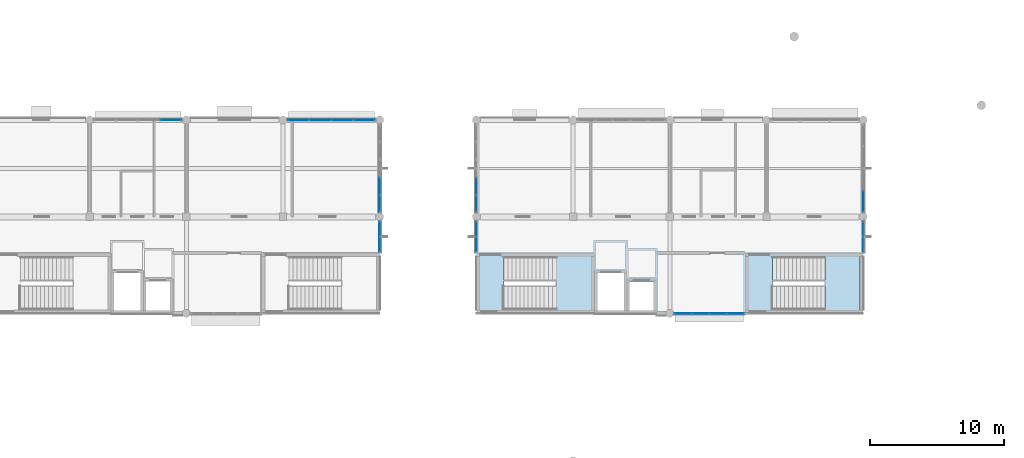
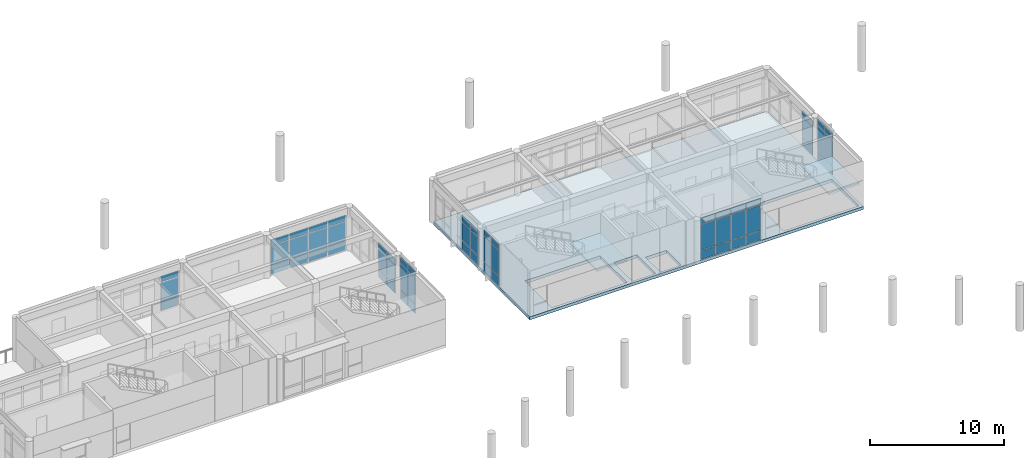
# One storey, part 10 of 29: 57 plates, 3 slabs, 11 elements without a shape of their own.
"""IFC4 building model written with IfcOpenShell, lengths in metres."""

import ifcopenshell
import ifcopenshell.guid

model = None  # the IFC model being written
_history = None  # IfcOwnerHistory: only IFC2X3 demands one
_inside = {}  # id of a spatial element -> (the spatial element, [elements in it])
_under = {}  # id of a project, library or spatial element -> (it, [spatial elements below it])
_declared = {}  # id of a project -> (the project, [libraries it declares])
_typed = {}  # id of a type object -> (the type object, [elements of that type])
_made_of = {}  # id of a material, layer set ... -> (it, [elements and type objects made of it])


def new_model(schema):
    """Start an empty IFC model of exactly this schema.

    Asked for "IFC4X3", IfcOpenShell would pick the latest addendum, in which some entities
    have other attributes; the version numbers below select the first issue.
    IFC2X3 requires an IfcOwnerHistory on every rooted entity: one is made here for all.
    """
    global model, _history
    if schema == "IFC4X3":
        model = ifcopenshell.file(schema_version=(4, 3, 0, 0))
    else:
        model = ifcopenshell.file(schema=schema)
    _inside.clear()
    _under.clear()
    _declared.clear()
    _typed.clear()
    _made_of.clear()
    _history = None
    if model.schema == "IFC2X3":
        org = make("IfcOrganization", Name="unknown")
        user = make(
            "IfcPersonAndOrganization",
            ThePerson=make("IfcPerson", FamilyName="unknown"),
            TheOrganization=org,
        )
        app = make(
            "IfcApplication",
            ApplicationDeveloper=org,
            Version="unknown",
            ApplicationFullName="unknown",
            ApplicationIdentifier="unknown",
        )
        _history = make(
            "IfcOwnerHistory",
            OwningUser=user,
            OwningApplication=app,
            ChangeAction="ADDED",
            CreationDate=0,
        )
    return model


def make(cls, **values):
    """One entity of the class cls with the attributes given. An attribute that is None is left unset."""
    return model.create_entity(
        cls, **{name: value for name, value in values.items() if value is not None}
    )


def rooted(cls, **values):
    """An entity with a GlobalId (a new one), such as an element, a storey or a relation."""
    return make(cls, GlobalId=ifcopenshell.guid.new(), OwnerHistory=_history, **values)


def si_unit(unit_type, name, prefix=None):
    """IfcSIUnit, for example si_unit("LENGTHUNIT", "METRE", prefix="MILLI")."""
    return make("IfcSIUnit", UnitType=unit_type, Prefix=prefix, Name=name)


def assignment(units):
    """IfcUnitAssignment: the units of a project."""
    return None if units is None else make("IfcUnitAssignment", Units=units)


def point(xyz):
    """IfcCartesianPoint."""
    return None if xyz is None else make("IfcCartesianPoint", Coordinates=xyz)


def direction(xyz):
    """IfcDirection."""
    return None if xyz is None else make("IfcDirection", DirectionRatios=xyz)


def frame(location, z_axis=None, x_axis=None):
    """IfcAxis2Placement3D, a coordinate frame: its origin and axes. An axis left out is left unset."""
    return make(
        "IfcAxis2Placement3D",
        Location=point(location),
        Axis=direction(z_axis),
        RefDirection=direction(x_axis),
    )


def frame_2d(location, x_axis=None):
    """IfcAxis2Placement2D, a coordinate frame in the plane: its origin and x axis."""
    return make(
        "IfcAxis2Placement2D", Location=point(location), RefDirection=direction(x_axis)
    )


def origin():
    """The frame at (0, 0, 0) with its axes left unset."""
    return frame((0.0, 0.0, 0.0))


def origin_2d():
    """The frame at (0, 0) in the plane with its x axis left unset."""
    return frame_2d((0.0, 0.0))


def place(relative_to, where):
    """IfcLocalPlacement: puts the frame where relative to a parent placement (None: the world)."""
    return make(
        "IfcLocalPlacement", PlacementRelTo=relative_to, RelativePlacement=where
    )


def context(
    kind, dimensions, precision=None, world=None, true_north=None, identifier=None
):
    """IfcGeometricRepresentationContext, for example the 3D "Model" context."""
    return make(
        "IfcGeometricRepresentationContext",
        ContextIdentifier=identifier,
        ContextType=kind,
        CoordinateSpaceDimension=dimensions,
        Precision=precision,
        WorldCoordinateSystem=world,
        TrueNorth=true_north,
    )


def subcontext(parent, identifier, kind, view, scale=None):
    """IfcGeometricRepresentationSubContext, for example "Body" below "Model"."""
    return make(
        "IfcGeometricRepresentationSubContext",
        ContextIdentifier=identifier,
        ContextType=kind,
        ParentContext=parent,
        TargetScale=scale,
        TargetView=view,
    )


def project(units=None, contexts=None):
    """IfcProject with its units and contexts."""
    return rooted(
        "IfcProject",
        Name="project",
        RepresentationContexts=contexts,
        UnitsInContext=assignment(units),
    )


def spatial(cls, under=None, at=None, **own):
    """A site, building, storey or space (cls), placed at a placement, below another one or the project."""
    s = rooted(cls, ObjectPlacement=at, **own)
    if under is not None:
        _under.setdefault(under.id(), (under, []))[1].append(s)
    return s


def polyline(points):
    """IfcPolyline through the points."""
    return make("IfcPolyline", Points=[point(p) for p in points])


def profile(cls, at=None, kind="AREA", **sizes):
    """A parametric profile (cls). Its sizes go by their IFC names, for example OverallWidth=200.0."""
    return make(cls, ProfileType=kind, Position=at, **sizes)


def rectangle(**sizes):
    """IfcRectangleProfileDef."""
    return profile("IfcRectangleProfileDef", **sizes)


def outline(outer, holes=None, kind="AREA"):
    """IfcArbitraryClosedProfileDef: a profile drawn as a closed curve; with holes, ...WithVoids."""
    if holes is None:
        return make("IfcArbitraryClosedProfileDef", ProfileType=kind, OuterCurve=outer)
    return make(
        "IfcArbitraryProfileDefWithVoids",
        ProfileType=kind,
        OuterCurve=outer,
        InnerCurves=holes,
    )


def extrude(swept, where, along, depth):
    """IfcExtrudedAreaSolid: the profile swept, set in the frame where, extruded along a direction by depth."""
    return make(
        "IfcExtrudedAreaSolid",
        SweptArea=swept,
        Position=where,
        ExtrudedDirection=direction(along),
        Depth=depth,
    )


def shape(context_of_items, identifier, shape_type, items):
    """IfcShapeRepresentation: the items that make up one representation, for example the "Body"."""
    return make(
        "IfcShapeRepresentation",
        ContextOfItems=context_of_items,
        RepresentationIdentifier=identifier,
        RepresentationType=shape_type,
        Items=items,
    )


def material(Name=None, Category=None):
    """IfcMaterial."""
    return make("IfcMaterial", Name=Name, Category=Category)


def layer(
    of_material, thickness, ventilated=None, Name=None, Category=None, Priority=None
):
    """IfcMaterialLayer: one layer of a wall or slab, of a material (None: an air gap)."""
    return make(
        "IfcMaterialLayer",
        Material=of_material,
        LayerThickness=thickness,
        IsVentilated=ventilated,
        Name=Name,
        Category=Category,
        Priority=Priority,
    )


def layer_set(layers, Name=None):
    """IfcMaterialLayerSet."""
    return make("IfcMaterialLayerSet", MaterialLayers=layers, LayerSetName=Name)


def made_of(thing, what):
    """Note that an element or type object is made of a material, layer set ...; save() writes the relation."""
    if what is not None:
        _made_of.setdefault(what.id(), (what, []))[1].append(thing)
    return thing


def type_object(cls, material=None, **own):
    """A type object (cls), such as IfcWallType, which elements share."""
    return made_of(rooted(cls, **own), material)


def element(
    cls,
    number,
    at=None,
    inside=None,
    cuts=None,
    type_object=None,
    material=None,
    context=None,
    identifier="Body",
    shape_type=None,
    held_by="IfcProductDefinitionShape",
    body=None,
    shapes=None,
    **own,
):
    """One element of the class cls, such as IfcWall. Its Tag is "e" and its number.

    at: its placement. inside: the storey or other place that contains it. cuts: it is an
    opening in that element (IfcRelVoidsElement). A single representation is given by context,
    identifier, shape_type and body (its items); several are given by shapes. held_by: the class
    of the entity that holds the representations. save() writes the other relations.
    """
    e = rooted(cls, Tag="e%d" % number, ObjectPlacement=at, **own)
    if body is not None:
        shapes = [shape(context, identifier, shape_type, body)]
    if shapes is not None:
        e.Representation = make(held_by, Representations=shapes)
    if inside is not None:
        _inside.setdefault(inside.id(), (inside, []))[1].append(e)
    if cuts is not None:
        rooted(
            "IfcRelVoidsElement", RelatingBuildingElement=cuts, RelatedOpeningElement=e
        )
    if type_object is not None:
        _typed.setdefault(type_object.id(), (type_object, []))[1].append(e)
    return made_of(e, material)


def aggregate(whole, parts):
    """IfcRelAggregates: a whole, such as a stair, and the parts it consists of."""
    return rooted("IfcRelAggregates", RelatingObject=whole, RelatedObjects=parts)


def save(model, path):
    """Write the relations noted so far, then the file.

    IfcRelAggregates (storeys below a building ...), IfcRelContainedInSpatialStructure (elements
    in a storey), IfcRelDefinesByType, IfcRelAssociatesMaterial and IfcRelDeclares: one each for
    every whole, place, type object, material and project.
    """
    for whole, parts in _under.values():
        aggregate(whole, parts)
    for where, things in _inside.values():
        rooted(
            "IfcRelContainedInSpatialStructure",
            RelatedElements=things,
            RelatingStructure=where,
        )
    for kind, things in _typed.values():
        rooted("IfcRelDefinesByType", RelatedObjects=things, RelatingType=kind)
    for what, things in _made_of.values():
        rooted("IfcRelAssociatesMaterial", RelatedObjects=things, RelatingMaterial=what)
    for by, libraries in _declared.values():
        rooted("IfcRelDeclares", RelatingContext=by, RelatedDefinitions=libraries)
    model.write(path)


model = new_model("IFC4")

# Units and contexts
model_context = context("Model", 3, precision=1e-05, world=origin(), true_north=direction((0.0, 1.0)))
body_context = subcontext(model_context, "Body", "Model", "MODEL_VIEW")
ifc_project = project(units=[si_unit("LENGTHUNIT", "METRE"), si_unit("AREAUNIT", "SQUARE_METRE"), si_unit("VOLUMEUNIT", "CUBIC_METRE"), si_unit("PLANEANGLEUNIT", "RADIAN"), si_unit("MASSUNIT", "GRAM", prefix="KILO")], contexts=[model_context])

# Site, building, storey
site_placement = place(None, origin())
site = spatial("IfcSite", under=ifc_project, at=site_placement, CompositionType="ELEMENT")
building_placement = place(site_placement, origin())
building = spatial("IfcBuilding", under=site, at=building_placement, Name="Namkhue Oval Health Centre", CompositionType="ELEMENT")
storey_placement = place(building_placement, frame((0.0, 0.0, 18.0)))
storey = spatial("IfcBuildingStorey", under=building, at=storey_placement, Name="L04", CompositionType="ELEMENT", Elevation=18.0)

# Curtain wall, plates
ifc_material_1 = material(Name="Anodised aluminium EN AW-6063 T6", Category="aluminium")
ifc_layer_1 = layer(ifc_material_1, 0.159912109375)
ifc_layer_set_1 = layer_set([ifc_layer_1], Name="Anodised aluminium EN AW-6063 T6")
curtain_wall_type_1 = type_object("IfcCurtainWallType", Name="UNITISED CURTAIN WALL M1500", PredefinedType="NOTDEFINED", material=ifc_layer_set_1)
curtain_wall_1_placement = place(storey_placement, origin())
curtain_wall_1 = element("IfcCurtainWall", 1, at=curtain_wall_1_placement, inside=storey, type_object=curtain_wall_type_1, Name="Volume V2 L04 Unitised Curtain Wall 81", PredefinedType="NOTDEFINED")
ifc_material_2 = material(Name="Thermally broken low-E laminated double glazing", Category="glass")
ifc_layer_2 = layer(ifc_material_2, 0.02587890625)
ifc_layer_set_2 = layer_set([ifc_layer_2], Name="Thermally broken low-E laminated double glazing")
plate_type_1 = type_object("IfcPlateType", Name="CURTAIN WALL GLAZED PANEL 26", PredefinedType="CURTAIN_PANEL", material=ifc_layer_set_2)
plate_1_placement = place(storey_placement, frame((85.251220703125, 104.39990234375, 0.06494140625), z_axis=(0.0, 0.0, 1.0), x_axis=(-1.0, 0.0, 0.0)))
plate_1 = element("IfcPlate", 2, at=plate_1_placement, type_object=plate_type_1, Name="CW-03 panel 1.1", PredefinedType="CURTAIN_PANEL", context=body_context, shape_type="SweptSolid", body=[
    extrude(rectangle(XDim=1.547607421875, YDim=0.02587890625, at=origin_2d()), origin(), (0.0, 0.0, 1.0), 0.802490234375),
])
plate_2_placement = place(storey_placement, frame((85.251220703125, 104.39990234375, 0.9326171875), z_axis=(0.0, 0.0, 1.0), x_axis=(-1.0, 0.0, 0.0)))
plate_2 = element("IfcPlate", 3, at=plate_2_placement, type_object=plate_type_1, Name="CW-03 panel 1.2", PredefinedType="CURTAIN_PANEL", context=body_context, shape_type="SweptSolid", body=[
    extrude(rectangle(XDim=1.547607421875, YDim=0.02587890625, at=origin_2d()), origin(), (0.0, 0.0, 1.0), 1.675048828125),
])
plate_3_placement = place(storey_placement, frame((85.251220703125, 104.39990234375, 2.67236328125), z_axis=(0.0, 0.0, 1.0), x_axis=(-1.0, 0.0, 0.0)))
plate_3 = element("IfcPlate", 4, at=plate_3_placement, type_object=plate_type_1, Name="CW-03 panel 1.3", PredefinedType="CURTAIN_PANEL", context=body_context, shape_type="SweptSolid", body=[
    extrude(rectangle(XDim=1.547607421875, YDim=0.02587890625, at=origin_2d()), origin(), (0.0, 0.0, 1.0), 0.552490234375),
])
plate_4_placement = place(storey_placement, frame((83.62255859375, 104.39990234375, 0.06494140625), z_axis=(0.0, 0.0, 1.0), x_axis=(-1.0, 0.0, 0.0)))
plate_4 = element("IfcPlate", 5, at=plate_4_placement, type_object=plate_type_1, Name="CW-03 panel 2.1", PredefinedType="CURTAIN_PANEL", context=body_context, shape_type="SweptSolid", body=[
    extrude(rectangle(XDim=1.580078125, YDim=0.02587890625, at=origin_2d()), origin(), (0.0, 0.0, 1.0), 0.802490234375),
])
plate_5_placement = place(storey_placement, frame((83.62255859375, 104.39990234375, 0.9326171875), z_axis=(0.0, 0.0, 1.0), x_axis=(-1.0, 0.0, 0.0)))
plate_5 = element("IfcPlate", 6, at=plate_5_placement, type_object=plate_type_1, Name="CW-03 panel 2.2", PredefinedType="CURTAIN_PANEL", context=body_context, shape_type="SweptSolid", body=[
    extrude(rectangle(XDim=1.580078125, YDim=0.02587890625, at=origin_2d()), origin(), (0.0, 0.0, 1.0), 1.675048828125),
])
plate_6_placement = place(storey_placement, frame((83.62255859375, 104.39990234375, 2.67236328125), z_axis=(0.0, 0.0, 1.0), x_axis=(-1.0, 0.0, 0.0)))
plate_6 = element("IfcPlate", 7, at=plate_6_placement, type_object=plate_type_1, Name="CW-03 panel 2.3", PredefinedType="CURTAIN_PANEL", context=body_context, shape_type="SweptSolid", body=[
    extrude(rectangle(XDim=1.580078125, YDim=0.02587890625, at=origin_2d()), origin(), (0.0, 0.0, 1.0), 0.552490234375),
])
plate_7_placement = place(storey_placement, frame((81.9775390625, 104.39990234375, 0.06494140625), z_axis=(0.0, 0.0, 1.0), x_axis=(-1.0, 0.0, 0.0)))
plate_7 = element("IfcPlate", 8, at=plate_7_placement, type_object=plate_type_1, Name="CW-03 panel 3.1", PredefinedType="CURTAIN_PANEL", context=body_context, shape_type="SweptSolid", body=[
    extrude(rectangle(XDim=1.580078125, YDim=0.02587890625, at=origin_2d()), origin(), (0.0, 0.0, 1.0), 0.802490234375),
])
plate_8_placement = place(storey_placement, frame((81.9775390625, 104.39990234375, 0.9326171875), z_axis=(0.0, 0.0, 1.0), x_axis=(-1.0, 0.0, 0.0)))
plate_8 = element("IfcPlate", 9, at=plate_8_placement, type_object=plate_type_1, Name="CW-03 panel 3.2", PredefinedType="CURTAIN_PANEL", context=body_context, shape_type="SweptSolid", body=[
    extrude(rectangle(XDim=1.580078125, YDim=0.02587890625, at=origin_2d()), origin(), (0.0, 0.0, 1.0), 1.675048828125),
])
plate_9_placement = place(storey_placement, frame((81.9775390625, 104.39990234375, 2.67236328125), z_axis=(0.0, 0.0, 1.0), x_axis=(-1.0, 0.0, 0.0)))
plate_9 = element("IfcPlate", 10, at=plate_9_placement, type_object=plate_type_1, Name="CW-03 panel 3.3", PredefinedType="CURTAIN_PANEL", context=body_context, shape_type="SweptSolid", body=[
    extrude(rectangle(XDim=1.580078125, YDim=0.02587890625, at=origin_2d()), origin(), (0.0, 0.0, 1.0), 0.552490234375),
])
plate_10_placement = place(storey_placement, frame((80.3486328125, 104.39990234375, 0.06494140625), z_axis=(0.0, 0.0, 1.0), x_axis=(-1.0, 0.0, 0.0)))
plate_10 = element("IfcPlate", 11, at=plate_10_placement, type_object=plate_type_1, Name="CW-03 panel 4.1", PredefinedType="CURTAIN_PANEL", context=body_context, shape_type="SweptSolid", body=[
    extrude(rectangle(XDim=1.547607421875, YDim=0.02587890625, at=origin_2d()), origin(), (0.0, 0.0, 1.0), 0.802490234375),
])
plate_11_placement = place(storey_placement, frame((80.3486328125, 104.39990234375, 0.9326171875), z_axis=(0.0, 0.0, 1.0), x_axis=(-1.0, 0.0, 0.0)))
plate_11 = element("IfcPlate", 12, at=plate_11_placement, type_object=plate_type_1, Name="CW-03 panel 4.2", PredefinedType="CURTAIN_PANEL", context=body_context, shape_type="SweptSolid", body=[
    extrude(rectangle(XDim=1.547607421875, YDim=0.02587890625, at=origin_2d()), origin(), (0.0, 0.0, 1.0), 1.675048828125),
])
plate_12_placement = place(storey_placement, frame((80.3486328125, 104.39990234375, 2.67236328125), z_axis=(0.0, 0.0, 1.0), x_axis=(-1.0, 0.0, 0.0)))
plate_12 = element("IfcPlate", 13, at=plate_12_placement, type_object=plate_type_1, Name="CW-03 panel 4.3", PredefinedType="CURTAIN_PANEL", context=body_context, shape_type="SweptSolid", body=[
    extrude(rectangle(XDim=1.547607421875, YDim=0.02587890625, at=origin_2d()), origin(), (0.0, 0.0, 1.0), 0.552490234375),
])
aggregate(curtain_wall_1, [plate_1, plate_2, plate_3, plate_4, plate_5, plate_6, plate_7, plate_8, plate_9, plate_10, plate_11, plate_12])

ifc_layer_3 = layer(ifc_material_1, 0.159912109375)
ifc_layer_set_3 = layer_set([ifc_layer_3], Name="Anodised aluminium EN AW-6063 T6")
curtain_wall_type_2 = type_object("IfcCurtainWallType", Name="UNITISED CURTAIN WALL M1800", PredefinedType="NOTDEFINED", material=ifc_layer_set_3)
curtain_wall_2_placement = place(storey_placement, origin())
curtain_wall_2 = element("IfcCurtainWall", 14, at=curtain_wall_2_placement, inside=storey, type_object=curtain_wall_type_2, Name="Volume V3 L04 Unitised Curtain Wall 125", PredefinedType="NOTDEFINED")
plate_13_placement = place(storey_placement, frame((122.39990234375, 98.3486328125, 0.06494140625), z_axis=(0.0, 0.0, 1.0), x_axis=(0.0, 1.0, 0.0)))
plate_13 = element("IfcPlate", 15, at=plate_13_placement, type_object=plate_type_1, Name="CW-05 panel 1.1", PredefinedType="CURTAIN_PANEL", context=body_context, shape_type="SweptSolid", body=[
    extrude(rectangle(XDim=1.547607421875, YDim=0.02587890625, at=origin_2d()), origin(), (0.0, 0.0, 1.0), 0.802490234375),
])
plate_14_placement = place(storey_placement, frame((122.39990234375, 98.3486328125, 0.932373046875), z_axis=(0.0, 0.0, 1.0), x_axis=(0.0, 1.0, 0.0)))
plate_14 = element("IfcPlate", 16, at=plate_14_placement, type_object=plate_type_1, Name="CW-05 panel 1.2", PredefinedType="CURTAIN_PANEL", context=body_context, shape_type="SweptSolid", body=[
    extrude(rectangle(XDim=1.547607421875, YDim=0.02587890625, at=origin_2d()), origin(), (0.0, 0.0, 1.0), 1.68701171875),
])
plate_15_placement = place(storey_placement, frame((122.39990234375, 98.3486328125, 2.6845703125), z_axis=(0.0, 0.0, 1.0), x_axis=(0.0, 1.0, 0.0)))
plate_15 = element("IfcPlate", 17, at=plate_15_placement, type_object=plate_type_1, Name="CW-05 panel 1.3", PredefinedType="CURTAIN_PANEL", context=body_context, shape_type="SweptSolid", body=[
    extrude(rectangle(XDim=1.547607421875, YDim=0.02587890625, at=origin_2d()), origin(), (0.0, 0.0, 1.0), 0.552490234375),
])
aggregate(curtain_wall_2, [plate_13, plate_14, plate_15])

curtain_wall_3_placement = place(storey_placement, origin())
curtain_wall_3 = element("IfcCurtainWall", 18, at=curtain_wall_3_placement, inside=storey, type_object=curtain_wall_type_1, Name="Volume V3 L04 Unitised Curtain Wall 129", PredefinedType="NOTDEFINED")
plate_16_placement = place(storey_placement, frame((93.60009765625, 96.280517578125, 0.06494140625), z_axis=(0.0, 0.0, 1.0), x_axis=(0.0, -1.0, 0.0)))
plate_16 = element("IfcPlate", 19, at=plate_16_placement, type_object=plate_type_1, Name="CW-03 panel 1.1", PredefinedType="CURTAIN_PANEL", context=body_context, shape_type="SweptSolid", body=[
    extrude(rectangle(XDim=1.089111328125, YDim=0.02587890625, at=origin_2d()), origin(), (0.0, 0.0, 1.0), 0.802490234375),
])
plate_17_placement = place(storey_placement, frame((93.60009765625, 96.280517578125, 0.9326171875), z_axis=(0.0, 0.0, 1.0), x_axis=(0.0, -1.0, 0.0)))
plate_17 = element("IfcPlate", 20, at=plate_17_placement, type_object=plate_type_1, Name="CW-03 panel 1.2", PredefinedType="CURTAIN_PANEL", context=body_context, shape_type="SweptSolid", body=[
    extrude(rectangle(XDim=1.089111328125, YDim=0.02587890625, at=origin_2d()), origin(), (0.0, 0.0, 1.0), 2.300048828125),
])
plate_18_placement = place(storey_placement, frame((93.60009765625, 96.280517578125, 3.29736328125), z_axis=(0.0, 0.0, 1.0), x_axis=(0.0, -1.0, 0.0)))
plate_18 = element("IfcPlate", 21, at=plate_18_placement, type_object=plate_type_1, Name="CW-03 panel 1.3", PredefinedType="CURTAIN_PANEL", context=body_context, shape_type="SweptSolid", body=[
    extrude(rectangle(XDim=1.089111328125, YDim=0.02587890625, at=origin_2d()), origin(), (0.0, 0.0, 1.0), 0.552490234375),
])
plate_19_placement = place(storey_placement, frame((93.60009765625, 95.12646484375, 0.06494140625), z_axis=(0.0, 0.0, 1.0), x_axis=(0.0, -1.0, 0.0)))
plate_19 = element("IfcPlate", 22, at=plate_19_placement, type_object=plate_type_1, Name="CW-03 panel 2.1", PredefinedType="CURTAIN_PANEL", context=body_context, shape_type="SweptSolid", body=[
    extrude(rectangle(XDim=1.089111328125, YDim=0.02587890625, at=origin_2d()), origin(), (0.0, 0.0, 1.0), 0.802490234375),
])
plate_20_placement = place(storey_placement, frame((93.60009765625, 95.12646484375, 0.9326171875), z_axis=(0.0, 0.0, 1.0), x_axis=(0.0, -1.0, 0.0)))
plate_20 = element("IfcPlate", 23, at=plate_20_placement, type_object=plate_type_1, Name="CW-03 panel 2.2", PredefinedType="CURTAIN_PANEL", context=body_context, shape_type="SweptSolid", body=[
    extrude(rectangle(XDim=1.089111328125, YDim=0.02587890625, at=origin_2d()), origin(), (0.0, 0.0, 1.0), 2.300048828125),
])
plate_21_placement = place(storey_placement, frame((93.60009765625, 95.12646484375, 3.29736328125), z_axis=(0.0, 0.0, 1.0), x_axis=(0.0, -1.0, 0.0)))
plate_21 = element("IfcPlate", 24, at=plate_21_placement, type_object=plate_type_1, Name="CW-03 panel 2.3", PredefinedType="CURTAIN_PANEL", context=body_context, shape_type="SweptSolid", body=[
    extrude(rectangle(XDim=1.089111328125, YDim=0.02587890625, at=origin_2d()), origin(), (0.0, 0.0, 1.0), 0.552490234375),
])
aggregate(curtain_wall_3, [plate_16, plate_17, plate_18, plate_19, plate_20, plate_21])

ifc_layer_4 = layer(ifc_material_1, 0.159912109375)
ifc_layer_set_4 = layer_set([ifc_layer_4], Name="Anodised aluminium EN AW-6063 T6")
curtain_wall_type_3 = type_object("IfcCurtainWallType", Name="UNITISED CURTAIN WALL M1600", PredefinedType="NOTDEFINED", material=ifc_layer_set_4)
curtain_wall_4_placement = place(storey_placement, origin())
curtain_wall_4 = element("IfcCurtainWall", 25, at=curtain_wall_4_placement, inside=storey, type_object=curtain_wall_type_3, Name="Volume V2 L04 Unitised Curtain Wall 82", PredefinedType="NOTDEFINED")
ifc_layer_5 = layer(ifc_material_2, 0.028076171875)
ifc_layer_set_5 = layer_set([ifc_layer_5], Name="Thermally broken low-E laminated double glazing")
plate_type_2 = type_object("IfcPlateType", Name="CURTAIN WALL GLAZED PANEL 28", PredefinedType="CURTAIN_PANEL", material=ifc_layer_set_5)
plate_22_placement = place(storey_placement, frame((70.8486328125, 104.39990234375, 0.074951171875), z_axis=(0.0, 0.0, 1.0), x_axis=(-1.0, 0.0, 0.0)))
plate_22 = element("IfcPlate", 26, at=plate_22_placement, type_object=plate_type_2, Name="CW-04 panel 1.1", PredefinedType="CURTAIN_PANEL", context=body_context, shape_type="SweptSolid", body=[
    extrude(rectangle(XDim=1.532470703125, YDim=0.028076171875, at=origin_2d()), origin(), (0.0, 0.0, 1.0), 0.78759765625),
])
plate_23_placement = place(storey_placement, frame((70.8486328125, 104.39990234375, 0.9375), z_axis=(0.0, 0.0, 1.0), x_axis=(-1.0, 0.0, 0.0)))
plate_23 = element("IfcPlate", 27, at=plate_23_placement, type_object=plate_type_2, Name="CW-04 panel 1.2", PredefinedType="CURTAIN_PANEL", context=body_context, shape_type="SweptSolid", body=[
    extrude(rectangle(XDim=1.532470703125, YDim=0.028076171875, at=origin_2d()), origin(), (0.0, 0.0, 1.0), 1.6650390625),
])
plate_24_placement = place(storey_placement, frame((70.8486328125, 104.39990234375, 2.677490234375), z_axis=(0.0, 0.0, 1.0), x_axis=(-1.0, 0.0, 0.0)))
plate_24 = element("IfcPlate", 28, at=plate_24_placement, type_object=plate_type_2, Name="CW-04 panel 1.3", PredefinedType="CURTAIN_PANEL", context=body_context, shape_type="SweptSolid", body=[
    extrude(rectangle(XDim=1.532470703125, YDim=0.028076171875, at=origin_2d()), origin(), (0.0, 0.0, 1.0), 0.53759765625),
])
aggregate(curtain_wall_4, [plate_22, plate_23, plate_24])

ifc_layer_6 = layer(ifc_material_1, 0.159912109375)
ifc_layer_set_6 = layer_set([ifc_layer_6], Name="Anodised aluminium EN AW-6063 T6")
curtain_wall_type_4 = type_object("IfcCurtainWallType", Name="UNITISED CURTAIN WALL M1200", PredefinedType="NOTDEFINED", material=ifc_layer_set_6)
curtain_wall_5_placement = place(storey_placement, origin())
curtain_wall_5 = element("IfcCurtainWall", 29, at=curtain_wall_5_placement, inside=storey, type_object=curtain_wall_type_4, Name="Volume V2 L04 Unitised Curtain Wall 79", PredefinedType="NOTDEFINED")
ifc_material_3 = material(Name="Insulated anodised aluminium spandrel panel", Category="aluminium")
ifc_layer_7 = layer(ifc_material_3, 0.031982421875)
ifc_layer_set_7 = layer_set([ifc_layer_7], Name="Insulated anodised aluminium spandrel panel")
plate_type_3 = type_object("IfcPlateType", Name="CURTAIN WALL SPANDREL PANEL 32", PredefinedType="CURTAIN_PANEL", material=ifc_layer_set_7)
plate_25_placement = place(storey_placement, frame((86.39990234375, 95.12646484375, 0.06494140625), z_axis=(0.0, 0.0, 1.0), x_axis=(0.0, 1.0, 0.0)))
plate_25 = element("IfcPlate", 30, at=plate_25_placement, type_object=plate_type_3, Name="CW-01 panel 1.1", PredefinedType="CURTAIN_PANEL", context=body_context, shape_type="SweptSolid", body=[
    extrude(rectangle(XDim=1.089111328125, YDim=0.031982421875, at=origin_2d()), origin(), (0.0, 0.0, 1.0), 0.802490234375),
])
plate_26_placement = place(storey_placement, frame((86.39990234375, 95.12646484375, 0.9326171875), z_axis=(0.0, 0.0, 1.0), x_axis=(0.0, 1.0, 0.0)))
plate_26 = element("IfcPlate", 31, at=plate_26_placement, type_object=plate_type_3, Name="CW-01 panel 1.2", PredefinedType="CURTAIN_PANEL", context=body_context, shape_type="SweptSolid", body=[
    extrude(rectangle(XDim=1.089111328125, YDim=0.031982421875, at=origin_2d()), origin(), (0.0, 0.0, 1.0), 2.324951171875),
])
plate_27_placement = place(storey_placement, frame((86.39990234375, 95.12646484375, 3.322265625), z_axis=(0.0, 0.0, 1.0), x_axis=(0.0, 1.0, 0.0)))
plate_27 = element("IfcPlate", 32, at=plate_27_placement, type_object=plate_type_3, Name="CW-01 panel 1.3", PredefinedType="CURTAIN_PANEL", context=body_context, shape_type="SweptSolid", body=[
    extrude(rectangle(XDim=1.089111328125, YDim=0.031982421875, at=origin_2d()), origin(), (0.0, 0.0, 1.0), 0.552490234375),
])
plate_28_placement = place(storey_placement, frame((86.39990234375, 96.280517578125, 0.06494140625), z_axis=(0.0, 0.0, 1.0), x_axis=(0.0, 1.0, 0.0)))
plate_28 = element("IfcPlate", 33, at=plate_28_placement, type_object=plate_type_3, Name="CW-01 panel 2.1", PredefinedType="CURTAIN_PANEL", context=body_context, shape_type="SweptSolid", body=[
    extrude(rectangle(XDim=1.089111328125, YDim=0.031982421875, at=origin_2d()), origin(), (0.0, 0.0, 1.0), 0.802490234375),
])
plate_29_placement = place(storey_placement, frame((86.39990234375, 96.280517578125, 0.9326171875), z_axis=(0.0, 0.0, 1.0), x_axis=(0.0, 1.0, 0.0)))
plate_29 = element("IfcPlate", 34, at=plate_29_placement, type_object=plate_type_3, Name="CW-01 panel 2.2", PredefinedType="CURTAIN_PANEL", context=body_context, shape_type="SweptSolid", body=[
    extrude(rectangle(XDim=1.089111328125, YDim=0.031982421875, at=origin_2d()), origin(), (0.0, 0.0, 1.0), 2.324951171875),
])
plate_30_placement = place(storey_placement, frame((86.39990234375, 96.280517578125, 3.322265625), z_axis=(0.0, 0.0, 1.0), x_axis=(0.0, 1.0, 0.0)))
plate_30 = element("IfcPlate", 35, at=plate_30_placement, type_object=plate_type_3, Name="CW-01 panel 2.3", PredefinedType="CURTAIN_PANEL", context=body_context, shape_type="SweptSolid", body=[
    extrude(rectangle(XDim=1.089111328125, YDim=0.031982421875, at=origin_2d()), origin(), (0.0, 0.0, 1.0), 0.552490234375),
])
aggregate(curtain_wall_5, [plate_25, plate_26, plate_27, plate_28, plate_29, plate_30])

curtain_wall_6_placement = place(storey_placement, origin())
curtain_wall_6 = element("IfcCurtainWall", 36, at=curtain_wall_6_placement, inside=storey, type_object=curtain_wall_type_1, Name="Volume V3 L04 Unitised Curtain Wall 123", PredefinedType="NOTDEFINED")
plate_31_placement = place(storey_placement, frame((108.9853515625, 90.0, 0.06494140625), z_axis=(0.0, 0.0, 1.0), x_axis=(1.0, 0.0, 0.0)))
plate_31 = element("IfcPlate", 37, at=plate_31_placement, type_object=plate_type_3, Name="CW-03 panel 1.1", PredefinedType="CURTAIN_PANEL", context=body_context, shape_type="SweptSolid", body=[
    extrude(rectangle(XDim=1.220703125, YDim=0.031982421875, at=origin_2d()), origin(), (0.0, 0.0, 1.0), 0.802490234375),
])
plate_32_placement = place(storey_placement, frame((108.9853515625, 90.0, 0.9326171875), z_axis=(0.0, 0.0, 1.0), x_axis=(1.0, 0.0, 0.0)))
plate_32 = element("IfcPlate", 38, at=plate_32_placement, type_object=plate_type_3, Name="CW-03 panel 1.2", PredefinedType="CURTAIN_PANEL", context=body_context, shape_type="SweptSolid", body=[
    extrude(rectangle(XDim=1.220703125, YDim=0.031982421875, at=origin_2d()), origin(), (0.0, 0.0, 1.0), 2.300048828125),
])
plate_33_placement = place(storey_placement, frame((108.9853515625, 90.0, 3.29736328125), z_axis=(0.0, 0.0, 1.0), x_axis=(1.0, 0.0, 0.0)))
plate_33 = element("IfcPlate", 39, at=plate_33_placement, type_object=plate_type_3, Name="CW-03 panel 1.3", PredefinedType="CURTAIN_PANEL", context=body_context, shape_type="SweptSolid", body=[
    extrude(rectangle(XDim=1.220703125, YDim=0.031982421875, at=origin_2d()), origin(), (0.0, 0.0, 1.0), 0.552490234375),
])
plate_34_placement = place(storey_placement, frame((110.287353515625, 90.0, 0.06494140625), z_axis=(0.0, 0.0, 1.0), x_axis=(1.0, 0.0, 0.0)))
plate_34 = element("IfcPlate", 40, at=plate_34_placement, type_object=plate_type_3, Name="CW-03 panel 2.1", PredefinedType="CURTAIN_PANEL", context=body_context, shape_type="SweptSolid", body=[
    extrude(rectangle(XDim=1.253173828125, YDim=0.031982421875, at=origin_2d()), origin(), (0.0, 0.0, 1.0), 0.802490234375),
])
plate_35_placement = place(storey_placement, frame((110.287353515625, 90.0, 0.9326171875), z_axis=(0.0, 0.0, 1.0), x_axis=(1.0, 0.0, 0.0)))
plate_35 = element("IfcPlate", 41, at=plate_35_placement, type_object=plate_type_3, Name="CW-03 panel 2.2", PredefinedType="CURTAIN_PANEL", context=body_context, shape_type="SweptSolid", body=[
    extrude(rectangle(XDim=1.253173828125, YDim=0.031982421875, at=origin_2d()), origin(), (0.0, 0.0, 1.0), 2.300048828125),
])
plate_36_placement = place(storey_placement, frame((110.287353515625, 90.0, 3.29736328125), z_axis=(0.0, 0.0, 1.0), x_axis=(1.0, 0.0, 0.0)))
plate_36 = element("IfcPlate", 42, at=plate_36_placement, type_object=plate_type_3, Name="CW-03 panel 2.3", PredefinedType="CURTAIN_PANEL", context=body_context, shape_type="SweptSolid", body=[
    extrude(rectangle(XDim=1.253173828125, YDim=0.031982421875, at=origin_2d()), origin(), (0.0, 0.0, 1.0), 0.552490234375),
])
plate_37_placement = place(storey_placement, frame((111.605712890625, 90.0, 0.06494140625), z_axis=(0.0, 0.0, 1.0), x_axis=(1.0, 0.0, 0.0)))
plate_37 = element("IfcPlate", 43, at=plate_37_placement, type_object=plate_type_3, Name="CW-03 panel 3.1", PredefinedType="CURTAIN_PANEL", context=body_context, shape_type="SweptSolid", body=[
    extrude(rectangle(XDim=1.253173828125, YDim=0.031982421875, at=origin_2d()), origin(), (0.0, 0.0, 1.0), 0.802490234375),
])
plate_38_placement = place(storey_placement, frame((111.605712890625, 90.0, 0.9326171875), z_axis=(0.0, 0.0, 1.0), x_axis=(1.0, 0.0, 0.0)))
plate_38 = element("IfcPlate", 44, at=plate_38_placement, type_object=plate_type_3, Name="CW-03 panel 3.2", PredefinedType="CURTAIN_PANEL", context=body_context, shape_type="SweptSolid", body=[
    extrude(rectangle(XDim=1.253173828125, YDim=0.031982421875, at=origin_2d()), origin(), (0.0, 0.0, 1.0), 2.300048828125),
])
plate_39_placement = place(storey_placement, frame((111.605712890625, 90.0, 3.29736328125), z_axis=(0.0, 0.0, 1.0), x_axis=(1.0, 0.0, 0.0)))
plate_39 = element("IfcPlate", 45, at=plate_39_placement, type_object=plate_type_3, Name="CW-03 panel 3.3", PredefinedType="CURTAIN_PANEL", context=body_context, shape_type="SweptSolid", body=[
    extrude(rectangle(XDim=1.253173828125, YDim=0.031982421875, at=origin_2d()), origin(), (0.0, 0.0, 1.0), 0.552490234375),
])
plate_40_placement = place(storey_placement, frame((112.90771484375, 90.0, 0.06494140625), z_axis=(0.0, 0.0, 1.0), x_axis=(1.0, 0.0, 0.0)))
plate_40 = element("IfcPlate", 46, at=plate_40_placement, type_object=plate_type_3, Name="CW-03 panel 4.1", PredefinedType="CURTAIN_PANEL", context=body_context, shape_type="SweptSolid", body=[
    extrude(rectangle(XDim=1.220703125, YDim=0.031982421875, at=origin_2d()), origin(), (0.0, 0.0, 1.0), 0.802490234375),
])
plate_41_placement = place(storey_placement, frame((112.90771484375, 90.0, 0.9326171875), z_axis=(0.0, 0.0, 1.0), x_axis=(1.0, 0.0, 0.0)))
plate_41 = element("IfcPlate", 47, at=plate_41_placement, type_object=plate_type_3, Name="CW-03 panel 4.2", PredefinedType="CURTAIN_PANEL", context=body_context, shape_type="SweptSolid", body=[
    extrude(rectangle(XDim=1.220703125, YDim=0.031982421875, at=origin_2d()), origin(), (0.0, 0.0, 1.0), 2.300048828125),
])
plate_42_placement = place(storey_placement, frame((112.90771484375, 90.0, 3.29736328125), z_axis=(0.0, 0.0, 1.0), x_axis=(1.0, 0.0, 0.0)))
plate_42 = element("IfcPlate", 48, at=plate_42_placement, type_object=plate_type_3, Name="CW-03 panel 4.3", PredefinedType="CURTAIN_PANEL", context=body_context, shape_type="SweptSolid", body=[
    extrude(rectangle(XDim=1.220703125, YDim=0.031982421875, at=origin_2d()), origin(), (0.0, 0.0, 1.0), 0.552490234375),
])
aggregate(curtain_wall_6, [plate_31, plate_32, plate_33, plate_34, plate_35, plate_36, plate_37, plate_38, plate_39, plate_40, plate_41, plate_42])

ifc_layer_8 = layer(ifc_material_1, 0.159912109375)
ifc_layer_set_8 = layer_set([ifc_layer_8], Name="Anodised aluminium EN AW-6063 T6")
curtain_wall_type_5 = type_object("IfcCurtainWallType", Name="UNITISED CURTAIN WALL M1350", PredefinedType="NOTDEFINED", material=ifc_layer_set_8)
curtain_wall_7_placement = place(storey_placement, origin())
curtain_wall_7 = element("IfcCurtainWall", 49, at=curtain_wall_7_placement, inside=storey, type_object=curtain_wall_type_5, Name="Volume V2 L04 Unitised Curtain Wall 80", PredefinedType="NOTDEFINED")
ifc_layer_9 = layer(ifc_material_3, 0.035888671875)
ifc_layer_set_9 = layer_set([ifc_layer_9], Name="Insulated anodised aluminium spandrel panel")
plate_type_4 = type_object("IfcPlateType", Name="CURTAIN WALL SPANDREL PANEL 36", PredefinedType="CURTAIN_PANEL", material=ifc_layer_set_9)
plate_43_placement = place(storey_placement, frame((86.39990234375, 98.186767578125, 0.074951171875), z_axis=(0.0, 0.0, 1.0), x_axis=(0.0, 1.0, 0.0)))
plate_43 = element("IfcPlate", 50, at=plate_43_placement, type_object=plate_type_4, Name="CW-02 panel 1.1", PredefinedType="CURTAIN_PANEL", context=body_context, shape_type="SweptSolid", body=[
    extrude(rectangle(XDim=1.20361328125, YDim=0.035888671875, at=origin_2d()), origin(), (0.0, 0.0, 1.0), 0.78759765625),
])
plate_44_placement = place(storey_placement, frame((86.39990234375, 98.186767578125, 0.9375), z_axis=(0.0, 0.0, 1.0), x_axis=(0.0, 1.0, 0.0)))
plate_44 = element("IfcPlate", 51, at=plate_44_placement, type_object=plate_type_4, Name="CW-02 panel 1.2", PredefinedType="CURTAIN_PANEL", context=body_context, shape_type="SweptSolid", body=[
    extrude(rectangle(XDim=1.20361328125, YDim=0.035888671875, at=origin_2d()), origin(), (0.0, 0.0, 1.0), 1.6650390625),
])
plate_45_placement = place(storey_placement, frame((86.39990234375, 98.186767578125, 2.677490234375), z_axis=(0.0, 0.0, 1.0), x_axis=(0.0, 1.0, 0.0)))
plate_45 = element("IfcPlate", 52, at=plate_45_placement, type_object=plate_type_4, Name="CW-02 panel 1.3", PredefinedType="CURTAIN_PANEL", context=body_context, shape_type="SweptSolid", body=[
    extrude(rectangle(XDim=1.20361328125, YDim=0.035888671875, at=origin_2d()), origin(), (0.0, 0.0, 1.0), 0.53759765625),
])
plate_46_placement = place(storey_placement, frame((86.39990234375, 99.48388671875, 0.074951171875), z_axis=(0.0, 0.0, 1.0), x_axis=(0.0, 1.0, 0.0)))
plate_46 = element("IfcPlate", 53, at=plate_46_placement, type_object=plate_type_4, Name="CW-02 panel 2.1", PredefinedType="CURTAIN_PANEL", context=body_context, shape_type="SweptSolid", body=[
    extrude(rectangle(XDim=1.240966796875, YDim=0.035888671875, at=origin_2d()), origin(), (0.0, 0.0, 1.0), 0.78759765625),
])
plate_47_placement = place(storey_placement, frame((86.39990234375, 99.48388671875, 0.9375), z_axis=(0.0, 0.0, 1.0), x_axis=(0.0, 1.0, 0.0)))
plate_47 = element("IfcPlate", 54, at=plate_47_placement, type_object=plate_type_4, Name="CW-02 panel 2.2", PredefinedType="CURTAIN_PANEL", context=body_context, shape_type="SweptSolid", body=[
    extrude(rectangle(XDim=1.240966796875, YDim=0.035888671875, at=origin_2d()), origin(), (0.0, 0.0, 1.0), 1.6650390625),
])
plate_48_placement = place(storey_placement, frame((86.39990234375, 99.48388671875, 2.677490234375), z_axis=(0.0, 0.0, 1.0), x_axis=(0.0, 1.0, 0.0)))
plate_48 = element("IfcPlate", 55, at=plate_48_placement, type_object=plate_type_4, Name="CW-02 panel 2.3", PredefinedType="CURTAIN_PANEL", context=body_context, shape_type="SweptSolid", body=[
    extrude(rectangle(XDim=1.240966796875, YDim=0.035888671875, at=origin_2d()), origin(), (0.0, 0.0, 1.0), 0.53759765625),
])
aggregate(curtain_wall_7, [plate_43, plate_44, plate_45, plate_46, plate_47, plate_48])

curtain_wall_8_placement = place(storey_placement, origin())
curtain_wall_8 = element("IfcCurtainWall", 56, at=curtain_wall_8_placement, inside=storey, type_object=curtain_wall_type_3, Name="Volume V3 L04 Unitised Curtain Wall 124", PredefinedType="NOTDEFINED")
plate_49_placement = place(storey_placement, frame((122.39990234375, 95.70361328125, 0.074951171875), z_axis=(0.0, 0.0, 1.0), x_axis=(0.0, 1.0, 0.0)))
plate_49 = element("IfcPlate", 57, at=plate_49_placement, type_object=plate_type_4, Name="CW-04 panel 1.1", PredefinedType="CURTAIN_PANEL", context=body_context, shape_type="SweptSolid", body=[
    extrude(rectangle(XDim=2.222900390625, YDim=0.035888671875, at=origin_2d()), origin(), (0.0, 0.0, 1.0), 0.78759765625),
])
plate_50_placement = place(storey_placement, frame((122.39990234375, 95.70361328125, 0.9375), z_axis=(0.0, 0.0, 1.0), x_axis=(0.0, 1.0, 0.0)))
plate_50 = element("IfcPlate", 58, at=plate_50_placement, type_object=plate_type_4, Name="CW-04 panel 1.2", PredefinedType="CURTAIN_PANEL", context=body_context, shape_type="SweptSolid", body=[
    extrude(rectangle(XDim=2.222900390625, YDim=0.035888671875, at=origin_2d()), origin(), (0.0, 0.0, 1.0), 2.2900390625),
])
plate_51_placement = place(storey_placement, frame((122.39990234375, 95.70361328125, 3.302490234375), z_axis=(0.0, 0.0, 1.0), x_axis=(0.0, 1.0, 0.0)))
plate_51 = element("IfcPlate", 59, at=plate_51_placement, type_object=plate_type_4, Name="CW-04 panel 1.3", PredefinedType="CURTAIN_PANEL", context=body_context, shape_type="SweptSolid", body=[
    extrude(rectangle(XDim=2.222900390625, YDim=0.035888671875, at=origin_2d()), origin(), (0.0, 0.0, 1.0), 0.53759765625),
])
aggregate(curtain_wall_8, [plate_49, plate_50, plate_51])

curtain_wall_9_placement = place(storey_placement, origin())
curtain_wall_9 = element("IfcCurtainWall", 60, at=curtain_wall_9_placement, inside=storey, type_object=curtain_wall_type_5, Name="Volume V3 L04 Unitised Curtain Wall 128", PredefinedType="NOTDEFINED")
plate_52_placement = place(storey_placement, frame((93.60009765625, 99.48388671875, 0.074951171875), z_axis=(0.0, 0.0, 1.0), x_axis=(0.0, -1.0, 0.0)))
plate_52 = element("IfcPlate", 61, at=plate_52_placement, type_object=plate_type_4, Name="CW-02 panel 4.1", PredefinedType="CURTAIN_PANEL", context=body_context, shape_type="SweptSolid", body=[
    extrude(rectangle(XDim=1.240966796875, YDim=0.035888671875, at=origin_2d()), origin(), (0.0, 0.0, 1.0), 0.78759765625),
])
plate_53_placement = place(storey_placement, frame((93.60009765625, 99.48388671875, 0.9375), z_axis=(0.0, 0.0, 1.0), x_axis=(0.0, -1.0, 0.0)))
plate_53 = element("IfcPlate", 62, at=plate_53_placement, type_object=plate_type_4, Name="CW-02 panel 4.2", PredefinedType="CURTAIN_PANEL", context=body_context, shape_type="SweptSolid", body=[
    extrude(rectangle(XDim=1.240966796875, YDim=0.035888671875, at=origin_2d()), origin(), (0.0, 0.0, 1.0), 1.639892578125),
])
plate_54_placement = place(storey_placement, frame((93.60009765625, 99.48388671875, 2.65234375), z_axis=(0.0, 0.0, 1.0), x_axis=(0.0, -1.0, 0.0)))
plate_54 = element("IfcPlate", 63, at=plate_54_placement, type_object=plate_type_4, Name="CW-02 panel 4.3", PredefinedType="CURTAIN_PANEL", context=body_context, shape_type="SweptSolid", body=[
    extrude(rectangle(XDim=1.240966796875, YDim=0.035888671875, at=origin_2d()), origin(), (0.0, 0.0, 1.0), 0.53759765625),
])
plate_55_placement = place(storey_placement, frame((93.60009765625, 98.186767578125, 0.074951171875), z_axis=(0.0, 0.0, 1.0), x_axis=(0.0, -1.0, 0.0)))
plate_55 = element("IfcPlate", 64, at=plate_55_placement, type_object=plate_type_4, Name="CW-02 panel 5.1", PredefinedType="CURTAIN_PANEL", context=body_context, shape_type="SweptSolid", body=[
    extrude(rectangle(XDim=1.20361328125, YDim=0.035888671875, at=origin_2d()), origin(), (0.0, 0.0, 1.0), 0.78759765625),
])
plate_56_placement = place(storey_placement, frame((93.60009765625, 98.186767578125, 0.9375), z_axis=(0.0, 0.0, 1.0), x_axis=(0.0, -1.0, 0.0)))
plate_56 = element("IfcPlate", 65, at=plate_56_placement, type_object=plate_type_4, Name="CW-02 panel 5.2", PredefinedType="CURTAIN_PANEL", context=body_context, shape_type="SweptSolid", body=[
    extrude(rectangle(XDim=1.20361328125, YDim=0.035888671875, at=origin_2d()), origin(), (0.0, 0.0, 1.0), 1.639892578125),
])
plate_57_placement = place(storey_placement, frame((93.60009765625, 98.186767578125, 2.65234375), z_axis=(0.0, 0.0, 1.0), x_axis=(0.0, -1.0, 0.0)))
plate_57 = element("IfcPlate", 66, at=plate_57_placement, type_object=plate_type_4, Name="CW-02 panel 5.3", PredefinedType="CURTAIN_PANEL", context=body_context, shape_type="SweptSolid", body=[
    extrude(rectangle(XDim=1.20361328125, YDim=0.035888671875, at=origin_2d()), origin(), (0.0, 0.0, 1.0), 0.53759765625),
])
aggregate(curtain_wall_9, [plate_52, plate_53, plate_54, plate_55, plate_56, plate_57])

# Stair, slab
ifc_material_4 = material(Name="Reinforced concrete C30/37 (TCVN B35)", Category="concrete")
stair_type = type_object("IfcStairType", Name="DOGLEG EXIT STAIR H4200", PredefinedType="HALF_TURN_STAIR", material=ifc_material_4)
stair_1_placement = place(storey_placement, origin())
stair_1 = element("IfcStair", 67, at=stair_1_placement, inside=storey, type_object=stair_type, Name="Protected Exit Stair ST-05 L04", PredefinedType="HALF_TURN_STAIR")
ifc_layer_10 = layer(ifc_material_4, 0.195068359375)
ifc_layer_set_10 = layer_set([ifc_layer_10], Name="Reinforced concrete C30/37 (TCVN B35)")
slab_type_1 = type_object("IfcSlabType", Name="STAIR LANDING SLAB 195", PredefinedType="LANDING", material=ifc_layer_set_10)
slab_1_placement = place(storey_placement, frame((0.0, 0.0, 1.905029296875)))
slab_1 = element("IfcSlab", 68, at=slab_1_placement, type_object=slab_type_1, Name="ST-05 landing 1", PredefinedType="LANDING", context=body_context, shape_type="SweptSolid", body=[
    extrude(outline(polyline([(99.544921875, 90.22509765625), (102.175048828125, 90.22509765625), (102.175048828125, 94.27490234375), (99.544921875, 94.27490234375), (99.544921875, 90.22509765625)])), origin(), (0.0, 0.0, 1.0), 0.195068359375),
])
aggregate(stair_1, [slab_1])

stair_2_placement = place(storey_placement, origin())
stair_2 = element("IfcStair", 69, at=stair_2_placement, inside=storey, type_object=stair_type, Name="Protected Exit Stair ST-06 L04", PredefinedType="HALF_TURN_STAIR")
slab_2_placement = place(storey_placement, frame((0.0, 0.0, 1.905029296875)))
slab_2 = element("IfcSlab", 70, at=slab_2_placement, type_object=slab_type_1, Name="ST-06 landing 1", PredefinedType="LANDING", context=body_context, shape_type="SweptSolid", body=[
    extrude(outline(polyline([(119.544921875, 90.22509765625), (122.175048828125, 90.22509765625), (122.175048828125, 94.27490234375), (119.544921875, 94.27490234375), (119.544921875, 90.22509765625)])), origin(), (0.0, 0.0, 1.0), 0.195068359375),
])
aggregate(stair_2, [slab_2])

# Slab
ifc_material_5 = material(Name="Reinforced concrete C35/45 (TCVN B40)", Category="concrete")
ifc_layer_11 = layer(ifc_material_5, 0.280029296875)
ifc_layer_set_11 = layer_set([ifc_layer_11], Name="Reinforced concrete C35/45 (TCVN B40)")
slab_type_2 = type_object("IfcSlabType", Name="SUSPENDED FLOOR SLAB 280", PredefinedType="FLOOR", material=ifc_layer_set_11)
slab_3_placement = place(storey_placement, frame((0.0, 0.0, -0.280029296875)))
element("IfcSlab", 71, at=slab_3_placement, inside=storey, type_object=slab_type_2, Name="Volume V3 L04 Suspended Floor Slab", PredefinedType="FLOOR", context=body_context, shape_type="SweptSolid", body=[
    extrude(outline(polyline([(93.60009765625, 90.0), (122.39990234375, 90.0), (122.39990234375, 104.39990234375), (93.60009765625, 104.39990234375), (93.60009765625, 90.0)]), holes=[polyline([(95.655029296875, 90.25), (102.14990234375, 90.25), (102.14990234375, 94.25), (95.655029296875, 94.25), (95.655029296875, 90.25)]), polyline([(115.655029296875, 90.25), (122.14990234375, 90.25), (122.14990234375, 94.25), (115.655029296875, 94.25), (115.655029296875, 90.25)]), polyline([(102.60009765625, 90.199951171875), (104.60009765625, 90.199951171875), (104.60009765625, 93.0), (102.60009765625, 93.0), (102.60009765625, 90.199951171875)]), polyline([(105.0, 90.199951171875), (106.800048828125, 90.199951171875), (106.800048828125, 92.39990234375), (105.0, 92.39990234375), (105.0, 90.199951171875)])]), origin(), (0.0, 0.0, 1.0), 0.280029296875),
])

save(model, "model.ifc")
